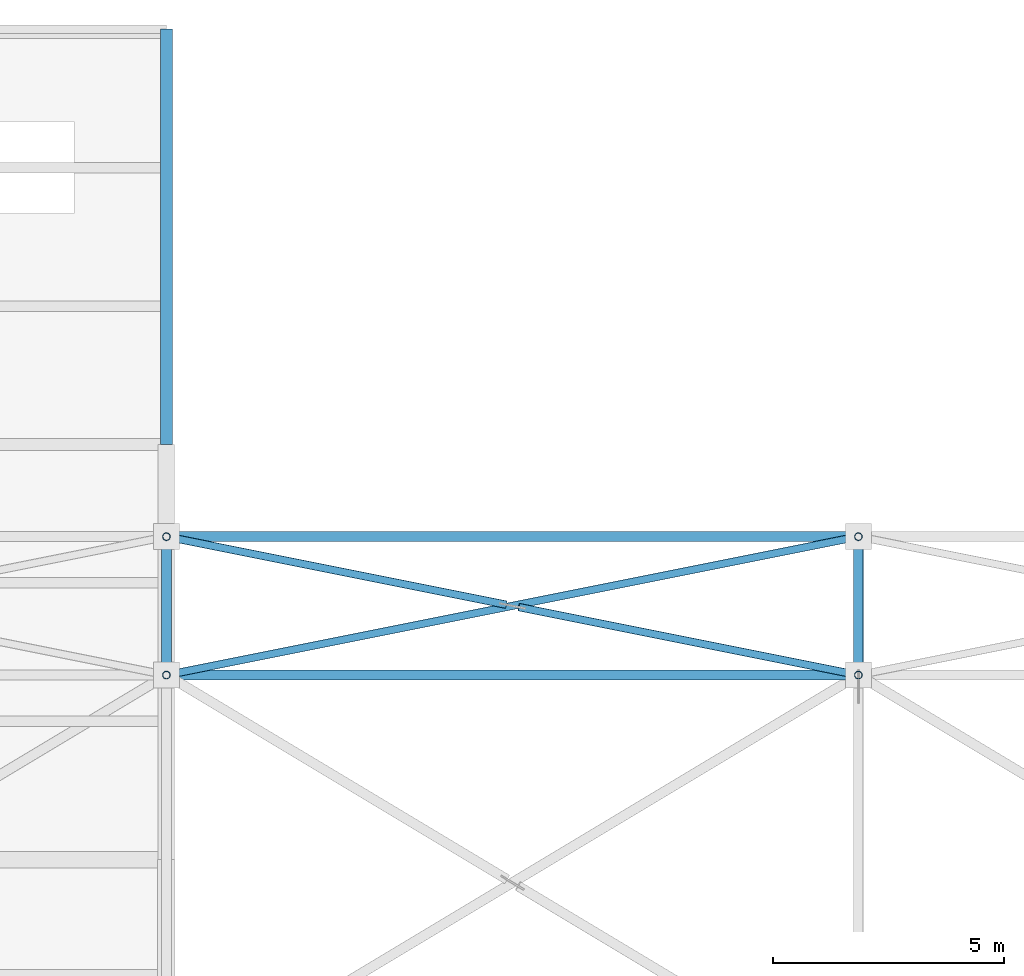
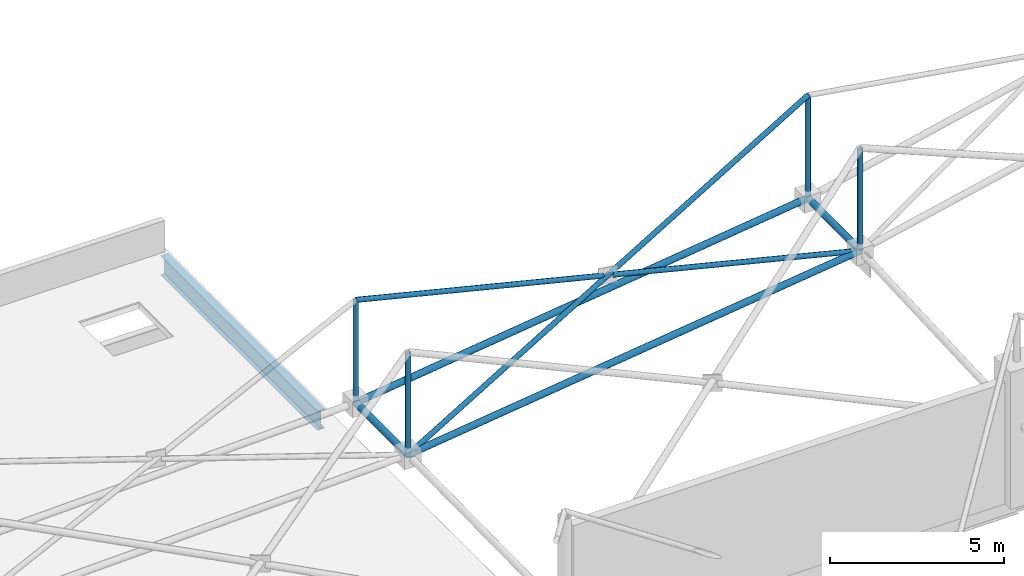
# One storey, part 119 of 224: 11 members, 1 beam.
"""IFC4 building model written with IfcOpenShell, lengths in metres."""

from ifc_helpers import new_model, si_unit, direction, frame, origin, origin_2d, place, context, subcontext, project, spatial, hollow_circle, i_section, extrude, material, material_profile, profile_set, type_object, element, save


model = new_model("IFC4")

# Units and contexts
model_context = context("Model", 3, precision=1e-05, world=origin(), true_north=direction((0.0, 1.0)))
body_context = subcontext(model_context, "Body", "Model", "MODEL_VIEW")
ifc_project = project(units=[si_unit("LENGTHUNIT", "METRE"), si_unit("AREAUNIT", "SQUARE_METRE"), si_unit("VOLUMEUNIT", "CUBIC_METRE"), si_unit("PLANEANGLEUNIT", "RADIAN"), si_unit("MASSUNIT", "GRAM", prefix="KILO")], contexts=[model_context])

# Site, building, storey
site_placement = place(None, origin())
site = spatial("IfcSite", under=ifc_project, at=site_placement, CompositionType="ELEMENT")
building_placement = place(site_placement, origin())
building = spatial("IfcBuilding", under=site, at=building_placement, Name="Qamarlyn Nura Convention Centre", CompositionType="ELEMENT")
storey_placement = place(building_placement, frame((0.0, 0.0, 10.800048828125)))
storey = spatial("IfcBuildingStorey", under=building, at=storey_placement, Name="L02", CompositionType="ELEMENT", Elevation=10.800048828125)

# Beam
ifc_material_1 = material(Name="Steel ASTM A992", Category="steel")
ifc_material_profile_1 = material_profile(ifc_material_1, i_section(OverallWidth=0.25390625, OverallDepth=0.68408203125, WebThickness=0.012451171875, FlangeThickness=0.01904296875, FilletRadius=0.01806640625, at=origin_2d()), Name="W690X140")
ifc_profile_set_1 = profile_set([ifc_material_profile_1], Name="Steel ASTM A992")
beam_type = type_object("IfcBeamType", Name="BM-GIRD-690B", PredefinedType="BEAM", material=ifc_profile_set_1)
beam_placement = place(storey_placement, frame((90.0, 117.0, -0.537109375), z_axis=(0.0, 1.0, 0.0), x_axis=(-1.0, 0.0, 0.0)))
element("IfcBeam", 1, at=beam_placement, inside=storey, type_object=beam_type, Name="L02 girder 7 P-Q", PredefinedType="BEAM", context=body_context, shape_type="SweptSolid", body=[
    extrude(i_section(OverallWidth=0.25390625, OverallDepth=0.68408203125, WebThickness=0.012451171875, FlangeThickness=0.01904296875, FilletRadius=0.01806640625, at=origin_2d()), origin(), (0.0, 0.0, 1.0), 9.0),
])

# Members
ifc_material_2 = material(Name="Pearl-white PVDF steel ASTM A500 Grade C", Category="steel")
ifc_material_profile_2 = material_profile(ifc_material_2, hollow_circle(Radius=0.109619140625, WallThickness=0.010009765625, at=origin_2d()), Name="CHS219.1X10")
ifc_profile_set_2 = profile_set([ifc_material_profile_2], Name="Pearl-white PVDF steel ASTM A500 Grade C")
member_type_1 = type_object("IfcMemberType", Name="SF-BC-EAVE", PredefinedType="CHORD", material=ifc_profile_set_2)
member_1_placement = place(storey_placement, frame((90.0, 112.0, 1.265625), z_axis=(0.992031519104, 0.0, 0.125989940488), x_axis=(0.0, 1.0, 0.0)))
element("IfcMember", 2, at=member_1_placement, inside=storey, type_object=member_type_1, Name="ROOF TRUSS space frame bottom chord X8-8", PredefinedType="CHORD", context=body_context, shape_type="SweptSolid", body=[
    extrude(hollow_circle(Radius=0.109619140625, WallThickness=0.010009765625, at=origin_2d()), origin(), (0.0, 0.0, 1.0), 15.12060546875),
])
member_2_placement = place(storey_placement, frame((90.0, 115.0, 1.274169921875), z_axis=(0.991859094073, 0.0, 0.127340243067), x_axis=(0.0, 1.0, 0.0)))
element("IfcMember", 3, at=member_2_placement, inside=storey, type_object=member_type_1, Name="ROOF TRUSS space frame bottom chord X8-9", PredefinedType="CHORD", context=body_context, shape_type="SweptSolid", body=[
    extrude(hollow_circle(Radius=0.109619140625, WallThickness=0.010009765625, at=origin_2d()), origin(), (0.0, 0.0, 1.0), 15.123046875),
])
member_3_placement = place(storey_placement, frame((90.0, 112.0, 1.265625), z_axis=(0.0, 0.999995943597, 0.002848295738), x_axis=(-1.0, 0.0, 0.0)))
element("IfcMember", 4, at=member_3_placement, inside=storey, type_object=member_type_1, Name="ROOF TRUSS space frame bottom chord Y8-8", PredefinedType="CHORD", context=body_context, shape_type="SweptSolid", body=[
    extrude(hollow_circle(Radius=0.109619140625, WallThickness=0.010009765625, at=origin_2d()), origin(), (0.0, 0.0, 1.0), 3.0),
])
member_4_placement = place(storey_placement, frame((105.0, 112.0, 3.170654296875), z_axis=(0.0, 0.999952319695, 0.009765159372), x_axis=(-1.0, 0.0, 0.0)))
element("IfcMember", 5, at=member_4_placement, inside=storey, type_object=member_type_1, Name="ROOF TRUSS space frame bottom chord Y9-8", PredefinedType="CHORD", context=body_context, shape_type="SweptSolid", body=[
    extrude(hollow_circle(Radius=0.109619140625, WallThickness=0.010009765625, at=origin_2d()), origin(), (0.0, 0.0, 1.0), 3.000244140625),
])
ifc_material_profile_3 = material_profile(ifc_material_2, hollow_circle(Radius=0.084228515625, WallThickness=0.008056640625, at=origin_2d()), Name="CHS168.3X8")
ifc_profile_set_3 = profile_set([ifc_material_profile_3], Name="Pearl-white PVDF steel ASTM A500 Grade C")
member_type_2 = type_object("IfcMemberType", Name="SF-WEB-STD", PredefinedType="BRACE", material=ifc_profile_set_3)
member_5_placement = place(storey_placement, frame((90.0, 112.0, 1.265625), z_axis=(0.0, 0.0, 1.0), x_axis=(1.0, 0.0, 0.0)))
element("IfcMember", 6, at=member_5_placement, inside=storey, type_object=member_type_2, Name="ROOF TRUSS space frame vertical 8-8", PredefinedType="BRACE", context=body_context, shape_type="SweptSolid", body=[
    extrude(hollow_circle(Radius=0.084228515625, WallThickness=0.008056640625, at=origin_2d()), origin(), (0.0, 0.0, 1.0), 3.60009765625),
])
member_6_placement = place(storey_placement, frame((90.0, 112.0, 1.265625), z_axis=(0.922086887321, 0.184417377464, 0.340214642719), x_axis=(-0.196116135138, 0.980580675691, 0.0)))
element("IfcMember", 7, at=member_6_placement, inside=storey, type_object=member_type_2, Name="ROOF TRUSS space frame diagonal A 8-8", PredefinedType="BRACE", context=body_context, shape_type="SweptSolid", body=[
    extrude(hollow_circle(Radius=0.084228515625, WallThickness=0.008056640625, at=origin_2d()), origin(), (0.0, 0.0, 1.0), 16.267333984375),
])
member_7_placement = place(storey_placement, frame((105.0, 112.0, 3.170654296875), z_axis=(-0.974485214218, 0.194890580954, 0.111338352448), x_axis=(-0.196109882906, -0.980581926117, 0.0)))
element("IfcMember", 8, at=member_7_placement, inside=storey, type_object=member_type_2, Name="ROOF TRUSS space frame split diagonal B1 8-8", PredefinedType="BRACE", context=body_context, shape_type="SweptSolid", body=[
    extrude(hollow_circle(Radius=0.084228515625, WallThickness=0.008056640625, at=origin_2d()), origin(), (0.0, 0.0, 1.0), 7.556396484375),
])
member_8_placement = place(storey_placement, frame((97.363525390625, 113.52734375, 4.04296875), z_axis=(-0.97463158082, 0.194919853304, 0.109997874776), x_axis=(-0.196109882906, -0.980581926117, 0.0)))
element("IfcMember", 9, at=member_8_placement, inside=storey, type_object=member_type_2, Name="ROOF TRUSS space frame split diagonal B2 8-8", PredefinedType="BRACE", context=body_context, shape_type="SweptSolid", body=[
    extrude(hollow_circle(Radius=0.084228515625, WallThickness=0.008056640625, at=origin_2d()), origin(), (0.0, 0.0, 1.0), 7.55517578125),
])
for number, where, z_axis, x_axis, name in (
    (10, (90.0, 115.0, 1.274169921875), (0.0, 0.0, 1.0), (1.0, 0.0, 0.0), "ROOF TRUSS space frame vertical 8-9"),
    (11, (105.0, 112.0, 3.170654296875), (0.0, 0.0, 1.0), (1.0, 0.0, 0.0), "ROOF TRUSS space frame vertical 9-8"),
):
    element("IfcMember", number, at=place(storey_placement, frame(where, z_axis=z_axis, x_axis=x_axis)), inside=storey, type_object=member_type_2, Name=name, PredefinedType="BRACE", context=body_context, shape_type="SweptSolid", body=[
        extrude(hollow_circle(Radius=0.084228515625, WallThickness=0.008056640625, at=origin_2d()), origin(), (0.0, 0.0, 1.0), 3.599853515625),
    ])
member_9_placement = place(storey_placement, frame((105.0, 115.0, 3.199951171875), z_axis=(0.0, 0.0, 1.0), x_axis=(1.0, 0.0, 0.0)))
element("IfcMember", 12, at=member_9_placement, inside=storey, type_object=member_type_2, Name="ROOF TRUSS space frame vertical 9-9", PredefinedType="BRACE", context=body_context, shape_type="SweptSolid", body=[
    extrude(hollow_circle(Radius=0.084228515625, WallThickness=0.008056640625, at=origin_2d()), origin(), (0.0, 0.0, 1.0), 3.60009765625),
])

save(model, "model.ifc")
